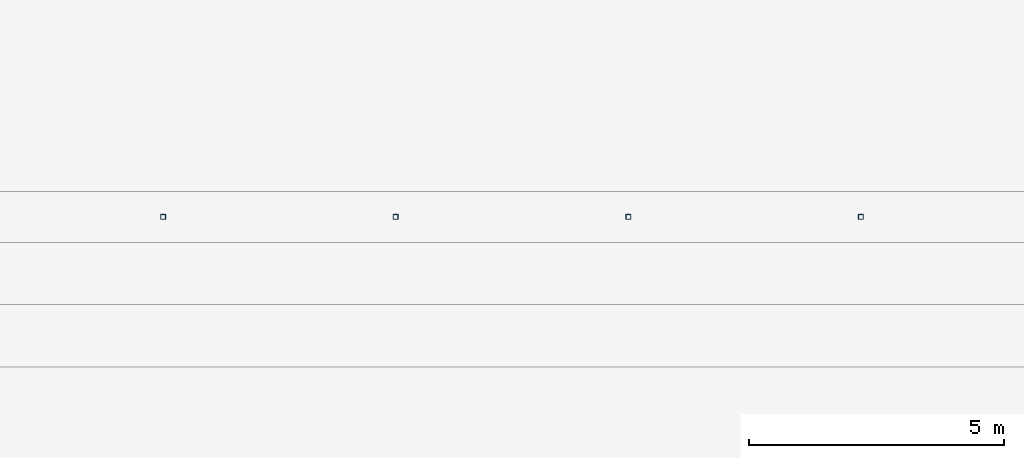
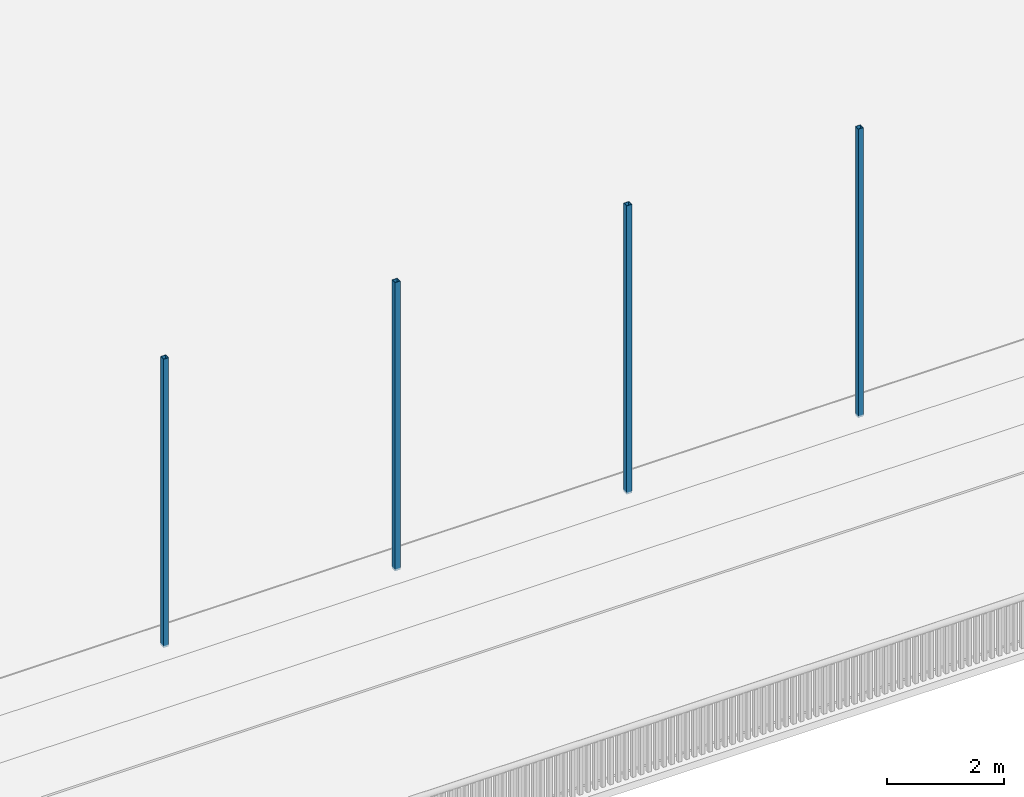
# One storey, part 77 of 127: 4 discrete accessories.
"""IFC4 building model written with IfcOpenShell, lengths in metres."""

from ifc_helpers import new_model, si_unit, direction, frame, origin, origin_2d, place, context, subcontext, project, spatial, hollow_rectangle, extrude, material, type_object, element, save


model = new_model("IFC4")

# Units and contexts
model_context = context("Model", 3, precision=1e-05, world=origin(), true_north=direction((0.0, 1.0)))
body_context = subcontext(model_context, "Body", "Model", "MODEL_VIEW")
ifc_project = project(units=[si_unit("LENGTHUNIT", "METRE"), si_unit("AREAUNIT", "SQUARE_METRE"), si_unit("VOLUMEUNIT", "CUBIC_METRE"), si_unit("PLANEANGLEUNIT", "RADIAN"), si_unit("MASSUNIT", "GRAM", prefix="KILO")], contexts=[model_context])

# Site, building, storey
site_placement = place(None, origin())
site = spatial("IfcSite", under=ifc_project, at=site_placement, CompositionType="ELEMENT")
building_placement = place(site_placement, origin())
building = spatial("IfcBuilding", under=site, at=building_placement, Name="Verrick Yard Athletic Hall", CompositionType="ELEMENT")
storey_placement = place(building_placement, frame((0.0, 0.0, 14.0)))
storey = spatial("IfcBuildingStorey", under=building, at=storey_placement, Name="L03", CompositionType="ELEMENT", Elevation=14.0)

# Discrete accessories
ifc_material = material(Name="Structural steel HSS Class C 350W (CSA G40.20/G40.21)", Category="steel")
discrete_accessory_type = type_object("IfcDiscreteAccessoryType", Name="Ball stop post", PredefinedType="USERDEFINED", material=ifc_material)
for number, where, z_axis, x_axis, name in (
    (1, (96.522216796875, 25.5, 0.0), (0.0, 0.0, 1.0), (1.0, 0.0, 0.0), "Ball stop post 5"),
    (2, (101.077880859375, 25.5, 0.0), (0.0, 0.0, 1.0), (1.0, 0.0, 0.0), "Ball stop post 6"),
    (3, (105.63330078125, 25.5, 0.0), (0.0, 0.0, 1.0), (1.0, 0.0, 0.0), "Ball stop post 7"),
    (4, (110.18896484375, 25.5, 0.0), (0.0, 0.0, 1.0), (1.0, 0.0, 0.0), "Ball stop post 8"),
):
    element("IfcDiscreteAccessory", number, at=place(storey_placement, frame(where, z_axis=z_axis, x_axis=x_axis)), inside=storey, type_object=discrete_accessory_type, Name=name, ObjectType="BALL STOP POST", PredefinedType="USERDEFINED", context=body_context, shape_type="SweptSolid", body=[
        extrude(hollow_rectangle(XDim=0.1015625, YDim=0.1015625, WallThickness=0.00634765625, at=origin_2d()), origin(), (0.0, 0.0, 1.0), 6.0),
    ])

save(model, "model.ifc")
